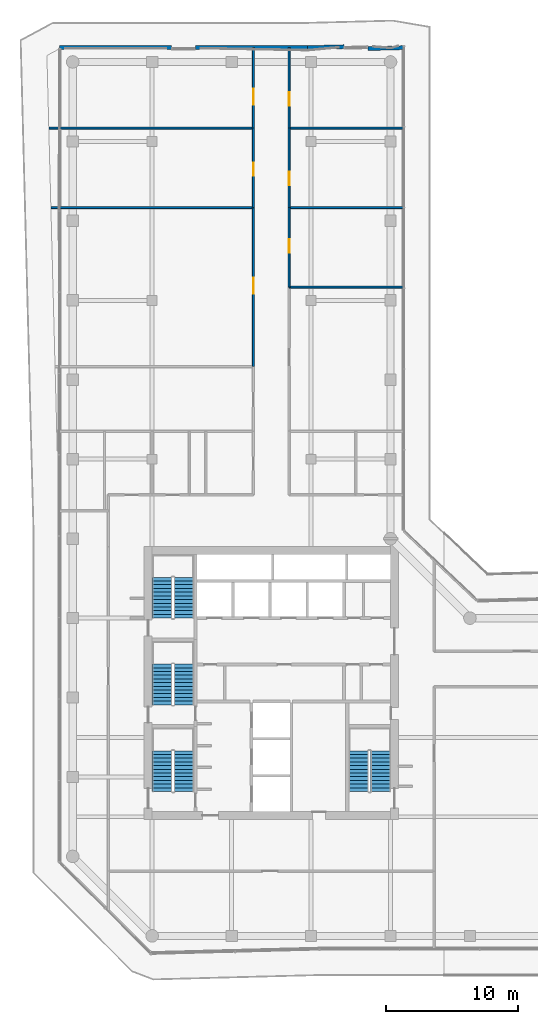
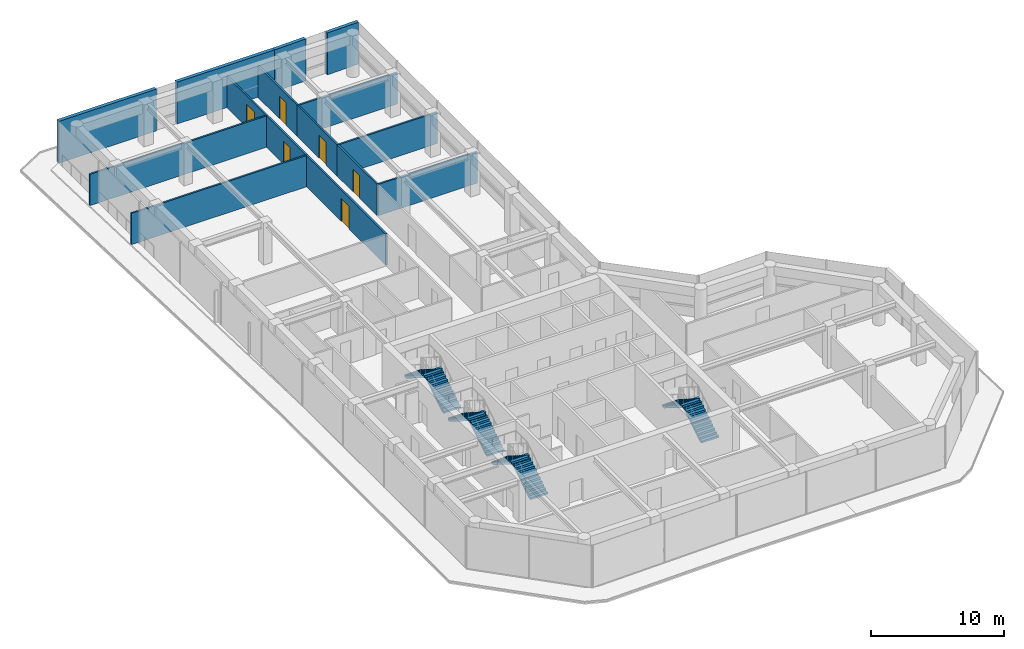
# One storey, part 18 of 20: 15 walls, 8 stair flights, 6 doors, 6 openings, 4 elements without a shape of their own.
"""IFC4 building model written with IfcOpenShell, lengths in metres."""

from ifc_helpers import new_model, si_unit, direction, frame, frame_2d, origin, place, context, subcontext, project, spatial, polyline, rectangle, outline, extrude, material, layer, layer_set, type_object, element, fill, aggregate, save


model = new_model("IFC4")

# Units and contexts
model_context = context("Model", 3, precision=1e-05, world=origin(), true_north=direction((0.0, 1.0)))
body_context = subcontext(model_context, "Body", "Model", "MODEL_VIEW")
ifc_project = project(units=[si_unit("LENGTHUNIT", "METRE"), si_unit("AREAUNIT", "SQUARE_METRE"), si_unit("VOLUMEUNIT", "CUBIC_METRE"), si_unit("PLANEANGLEUNIT", "RADIAN"), si_unit("MASSUNIT", "GRAM", prefix="KILO")], contexts=[model_context])

# Site, building, storey
site_placement = place(None, origin())
site = spatial("IfcSite", under=ifc_project, at=site_placement, CompositionType="ELEMENT")
building_placement = place(site_placement, origin())
building = spatial("IfcBuilding", under=site, at=building_placement, Name="Welwitschia Terrace Campus", CompositionType="ELEMENT")
storey_placement = place(building_placement, frame((0.0, 0.0, 176.0)))
storey = spatial("IfcBuildingStorey", under=building, at=storey_placement, Name="L39", CompositionType="ELEMENT", Elevation=176.0)

# Walls
ifc_material_1 = material(Name="Gypsum board on steel studs", Category="steel")
ifc_layer_1 = layer(ifc_material_1, 0.14990234375)
ifc_layer_set_1 = layer_set([ifc_layer_1], Name="Gypsum board on steel studs")
wall_type_1 = type_object("IfcWallType", Name="Corridor partition 150 EI 30", PredefinedType="PARTITIONING", material=ifc_layer_set_1)
wall_1_placement = place(storey_placement, frame((-1.7900390625, 57.0, 0.0), z_axis=(0.0, 0.0, 1.0), x_axis=(1.0, 0.0, 0.0)))
element("IfcWall", 1, at=wall_1_placement, inside=storey, type_object=wall_type_1, Name="Partition", PredefinedType="PARTITIONING", context=body_context, shape_type="SweptSolid", body=[
    extrude(rectangle(XDim=15.43994140625, YDim=0.14990234375, at=frame_2d((7.719970703125, 0.0))), origin(), (0.0, 0.0, 1.0), 2.8798828125),
])
wall_2_placement = place(storey_placement, frame((-1.6298828125, 51.0, 0.0), z_axis=(0.0, 0.0, 1.0), x_axis=(1.0, 0.0, 0.0)))
element("IfcWall", 2, at=wall_2_placement, inside=storey, type_object=wall_type_1, Name="Partition", PredefinedType="PARTITIONING", context=body_context, shape_type="SweptSolid", body=[
    extrude(rectangle(XDim=15.27978515625, YDim=0.14990234375, at=frame_2d((7.639892578125, 0.0))), origin(), (0.0, 0.0, 1.0), 2.8798828125),
])

# Wall, opening, door
wall_3_placement = place(storey_placement, frame((13.64990234375, 51.0, 0.0), z_axis=(0.0, 0.0, 1.0), x_axis=(0.0, -1.0, 0.0)))
wall_3 = element("IfcWall", 3, at=wall_3_placement, inside=storey, type_object=wall_type_1, Name="Partition", PredefinedType="PARTITIONING", context=body_context, shape_type="SweptSolid", body=[
    extrude(rectangle(XDim=12.0, YDim=0.14990234375, at=frame_2d((6.0, 0.0))), origin(), (0.0, 0.0, 1.0), 2.8798828125),
])
opening_1_placement = place(wall_3_placement, frame((5.300048828125, 0.0, 0.0)))
opening_1 = element("IfcOpeningElement", 4, at=opening_1_placement, cuts=wall_3, Name="Opening DI12", PredefinedType="OPENING", context=body_context, shape_type="SweptSolid", body=[
    extrude(rectangle(XDim=1.199951171875, YDim=2.10009765625, at=frame_2d((0.60009765625, 1.050048828125))), frame((0.0, 0.0849609375, 0.0), z_axis=(0.0, -1.0, 0.0), x_axis=(1.0, 0.0, 0.0)), (0.0, 0.0, 1.0), 0.169921875),
])
ifc_material_2 = material(Name="Timber veneered door", Category="wood")
door_type_1 = type_object("IfcDoorType", Name="Interior door DI12", OperationType="NOTDEFINED", PredefinedType="DOOR", material=ifc_material_2)
door_1_placement = place(opening_1_placement, origin())
door_1 = element("IfcDoor", 5, at=door_1_placement, inside=storey, type_object=door_type_1, Name="Door L39 780", OperationType="SINGLE_SWING_LEFT", OverallHeight=2.10009765625, OverallWidth=1.199951171875, PredefinedType="DOOR", context=body_context, shape_type="SweptSolid", body=[
    extrude(rectangle(XDim=1.199951171875, YDim=2.10009765625, at=frame_2d((0.60009765625, 1.050048828125))), frame((0.0, 0.02490234375, 0.0), z_axis=(0.0, -1.0, 0.0), x_axis=(1.0, 0.0, 0.0)), (0.0, 0.0, 1.0), 0.050048828125),
])
fill(opening_1, door_1)

wall_4_placement = place(storey_placement, frame((13.64990234375, 51.0, 0.0), z_axis=(0.0, 0.0, 1.0), x_axis=(0.0, 1.0, 0.0)))
wall_4 = element("IfcWall", 6, at=wall_4_placement, inside=storey, type_object=wall_type_1, Name="Partition", PredefinedType="PARTITIONING", context=body_context, shape_type="SweptSolid", body=[
    extrude(rectangle(XDim=6.0, YDim=0.14990234375, at=frame_2d((3.0, 0.0))), origin(), (0.0, 0.0, 1.0), 2.8798828125),
])
opening_2_placement = place(wall_4_placement, frame((2.39990234375, 0.0, 0.0)))
opening_2 = element("IfcOpeningElement", 7, at=opening_2_placement, cuts=wall_4, Name="Opening DI10", PredefinedType="OPENING", context=body_context, shape_type="SweptSolid", body=[
    extrude(rectangle(XDim=1.0, YDim=2.10009765625, at=frame_2d((0.5, 1.050048828125))), frame((0.0, 0.0849609375, 0.0), z_axis=(0.0, -1.0, 0.0), x_axis=(1.0, 0.0, 0.0)), (0.0, 0.0, 1.0), 0.169921875),
])
ifc_material_3 = material(Name="Timber veneered door", Category="wood")
door_type_2 = type_object("IfcDoorType", Name="Interior door DI10", OperationType="NOTDEFINED", PredefinedType="DOOR", material=ifc_material_3)
door_2_placement = place(opening_2_placement, origin())
door_2 = element("IfcDoor", 8, at=door_2_placement, inside=storey, type_object=door_type_2, Name="Door L39 781", OperationType="SINGLE_SWING_RIGHT", OverallHeight=2.10009765625, OverallWidth=1.0, PredefinedType="DOOR", context=body_context, shape_type="SweptSolid", body=[
    extrude(rectangle(XDim=1.0, YDim=2.10009765625, at=frame_2d((0.5, 1.050048828125))), frame((0.0, 0.02490234375, 0.0), z_axis=(0.0, -1.0, 0.0), x_axis=(1.0, 0.0, 0.0)), (0.0, 0.0, 1.0), 0.050048828125),
])
fill(opening_2, door_2)

wall_5_placement = place(storey_placement, frame((13.64990234375, 63.090087890625, 0.0), z_axis=(0.0, 0.0, 1.0), x_axis=(0.0, -1.0, 0.0)))
wall_5 = element("IfcWall", 9, at=wall_5_placement, inside=storey, type_object=wall_type_1, Name="Partition", PredefinedType="PARTITIONING", context=body_context, shape_type="SweptSolid", body=[
    extrude(rectangle(XDim=6.090087890625, YDim=0.14990234375, at=frame_2d((3.044921875, 0.0))), origin(), (0.0, 0.0, 1.0), 2.8798828125),
])
opening_3_placement = place(wall_5_placement, frame((3.1201171875, 0.0, 0.0)))
opening_3 = element("IfcOpeningElement", 10, at=opening_3_placement, cuts=wall_5, Name="Opening DI12", PredefinedType="OPENING", context=body_context, shape_type="SweptSolid", body=[
    extrude(rectangle(XDim=1.199951171875, YDim=2.10009765625, at=frame_2d((0.60009765625, 1.050048828125))), frame((0.0, 0.0849609375, 0.0), z_axis=(0.0, -1.0, 0.0), x_axis=(1.0, 0.0, 0.0)), (0.0, 0.0, 1.0), 0.169921875),
])
door_3_placement = place(opening_3_placement, origin())
door_3 = element("IfcDoor", 11, at=door_3_placement, inside=storey, type_object=door_type_1, Name="Door L39 782", OperationType="SINGLE_SWING_LEFT", OverallHeight=2.10009765625, OverallWidth=1.199951171875, PredefinedType="DOOR", context=body_context, shape_type="SweptSolid", body=[
    extrude(rectangle(XDim=1.199951171875, YDim=2.10009765625, at=frame_2d((0.60009765625, 1.050048828125))), frame((0.0, 0.02490234375, 0.0), z_axis=(0.0, -1.0, 0.0), x_axis=(1.0, 0.0, 0.0)), (0.0, 0.0, 1.0), 0.050048828125),
])
fill(opening_3, door_3)

# Wall
wall_6_placement = place(storey_placement, frame((16.35009765625, 45.0, 0.0), z_axis=(0.0, 0.0, 1.0), x_axis=(1.0, 0.0, 0.0)))
element("IfcWall", 12, at=wall_6_placement, inside=storey, type_object=wall_type_1, Name="Partition", PredefinedType="PARTITIONING", context=body_context, shape_type="SweptSolid", body=[
    extrude(rectangle(XDim=8.614990234375, YDim=0.14990234375, at=frame_2d((4.3076171875, 0.0))), origin(), (0.0, 0.0, 1.0), 2.8798828125),
])

# Wall, opening, door
wall_7_placement = place(storey_placement, frame((16.35009765625, 51.0, 0.0), z_axis=(0.0, 0.0, 1.0), x_axis=(0.0, -1.0, 0.0)))
wall_7 = element("IfcWall", 13, at=wall_7_placement, inside=storey, type_object=wall_type_1, Name="Partition", PredefinedType="PARTITIONING", context=body_context, shape_type="SweptSolid", body=[
    extrude(rectangle(XDim=6.0, YDim=0.14990234375, at=frame_2d((3.0, 0.0))), origin(), (0.0, 0.0, 1.0), 2.8798828125),
])
opening_4_placement = place(wall_7_placement, frame((2.39990234375, 0.0, 0.0)))
opening_4 = element("IfcOpeningElement", 14, at=opening_4_placement, cuts=wall_7, Name="Opening DI10", PredefinedType="OPENING", context=body_context, shape_type="SweptSolid", body=[
    extrude(rectangle(XDim=1.0, YDim=2.10009765625, at=frame_2d((0.5, 1.050048828125))), frame((0.0, 0.0849609375, 0.0), z_axis=(0.0, -1.0, 0.0), x_axis=(1.0, 0.0, 0.0)), (0.0, 0.0, 1.0), 0.169921875),
])
door_4_placement = place(opening_4_placement, origin())
door_4 = element("IfcDoor", 15, at=door_4_placement, inside=storey, type_object=door_type_2, Name="Door L39 784", OperationType="SINGLE_SWING_LEFT", OverallHeight=2.10009765625, OverallWidth=1.0, PredefinedType="DOOR", context=body_context, shape_type="SweptSolid", body=[
    extrude(rectangle(XDim=1.0, YDim=2.10009765625, at=frame_2d((0.5, 1.050048828125))), frame((0.0, 0.02490234375, 0.0), z_axis=(0.0, -1.0, 0.0), x_axis=(1.0, 0.0, 0.0)), (0.0, 0.0, 1.0), 0.050048828125),
])
fill(opening_4, door_4)

# Wall
wall_8_placement = place(storey_placement, frame((16.35009765625, 51.0, 0.0), z_axis=(0.0, 0.0, 1.0), x_axis=(1.0, 0.0, 0.0)))
element("IfcWall", 16, at=wall_8_placement, inside=storey, type_object=wall_type_1, Name="Partition", PredefinedType="PARTITIONING", context=body_context, shape_type="SweptSolid", body=[
    extrude(rectangle(XDim=8.614990234375, YDim=0.14990234375, at=frame_2d((4.3076171875, 0.0))), origin(), (0.0, 0.0, 1.0), 2.8798828125),
])

# Wall, opening, door
wall_9_placement = place(storey_placement, frame((16.35009765625, 57.0, 0.0), z_axis=(0.0, 0.0, 1.0), x_axis=(0.0, -1.0, 0.0)))
wall_9 = element("IfcWall", 17, at=wall_9_placement, inside=storey, type_object=wall_type_1, Name="Partition", PredefinedType="PARTITIONING", context=body_context, shape_type="SweptSolid", body=[
    extrude(rectangle(XDim=6.0, YDim=0.14990234375, at=frame_2d((3.0, 0.0))), origin(), (0.0, 0.0, 1.0), 2.8798828125),
])
opening_5_placement = place(wall_9_placement, frame((3.300048828125, 0.0, 0.0)))
opening_5 = element("IfcOpeningElement", 18, at=opening_5_placement, cuts=wall_9, Name="Opening DI10", PredefinedType="OPENING", context=body_context, shape_type="SweptSolid", body=[
    extrude(rectangle(XDim=1.0, YDim=2.10009765625, at=frame_2d((0.5, 1.050048828125))), frame((0.0, 0.0849609375, 0.0), z_axis=(0.0, -1.0, 0.0), x_axis=(1.0, 0.0, 0.0)), (0.0, 0.0, 1.0), 0.169921875),
])
door_5_placement = place(opening_5_placement, origin())
door_5 = element("IfcDoor", 19, at=door_5_placement, inside=storey, type_object=door_type_2, Name="Door L39 785", OperationType="SINGLE_SWING_RIGHT", OverallHeight=2.10009765625, OverallWidth=1.0, PredefinedType="DOOR", context=body_context, shape_type="SweptSolid", body=[
    extrude(rectangle(XDim=1.0, YDim=2.10009765625, at=frame_2d((0.5, 1.050048828125))), frame((0.0, 0.02490234375, 0.0), z_axis=(0.0, -1.0, 0.0), x_axis=(1.0, 0.0, 0.0)), (0.0, 0.0, 1.0), 0.050048828125),
])
fill(opening_5, door_5)

# Wall
wall_10_placement = place(storey_placement, frame((16.35009765625, 57.0, 0.0), z_axis=(0.0, 0.0, 1.0), x_axis=(1.0, 0.0, 0.0)))
element("IfcWall", 20, at=wall_10_placement, inside=storey, type_object=wall_type_1, Name="Partition", PredefinedType="PARTITIONING", context=body_context, shape_type="SweptSolid", body=[
    extrude(rectangle(XDim=8.614990234375, YDim=0.14990234375, at=frame_2d((4.3076171875, 0.0))), origin(), (0.0, 0.0, 1.0), 2.8798828125),
])

# Wall, opening, door
wall_11_placement = place(storey_placement, frame((16.35009765625, 63.090087890625, 0.0), z_axis=(0.0, 0.0, 1.0), x_axis=(0.0, -1.0, 0.0)))
wall_11 = element("IfcWall", 21, at=wall_11_placement, inside=storey, type_object=wall_type_1, Name="Partition", PredefinedType="PARTITIONING", context=body_context, shape_type="SweptSolid", body=[
    extrude(rectangle(XDim=6.090087890625, YDim=0.14990234375, at=frame_2d((3.044921875, 0.0))), origin(), (0.0, 0.0, 1.0), 2.8798828125),
])
opening_6_placement = place(wall_11_placement, frame((3.389892578125, 0.0, 0.0)))
opening_6 = element("IfcOpeningElement", 22, at=opening_6_placement, cuts=wall_11, Name="Opening DI10", PredefinedType="OPENING", context=body_context, shape_type="SweptSolid", body=[
    extrude(rectangle(XDim=1.0, YDim=2.10009765625, at=frame_2d((0.5, 1.050048828125))), frame((0.0, 0.0849609375, 0.0), z_axis=(0.0, -1.0, 0.0), x_axis=(1.0, 0.0, 0.0)), (0.0, 0.0, 1.0), 0.169921875),
])
door_6_placement = place(opening_6_placement, origin())
door_6 = element("IfcDoor", 23, at=door_6_placement, inside=storey, type_object=door_type_2, Name="Door L39 786", OperationType="SINGLE_SWING_LEFT", OverallHeight=2.10009765625, OverallWidth=1.0, PredefinedType="DOOR", context=body_context, shape_type="SweptSolid", body=[
    extrude(rectangle(XDim=1.0, YDim=2.10009765625, at=frame_2d((0.5, 1.050048828125))), frame((0.0, 0.02490234375, 0.0), z_axis=(0.0, -1.0, 0.0), x_axis=(1.0, 0.0, 0.0)), (0.0, 0.0, 1.0), 0.050048828125),
])
fill(opening_6, door_6)

# Walls
ifc_material_4 = material(Name="Concrete C40/50", Category="concrete")
ifc_layer_2 = layer(ifc_material_4, 0.300048828125)
ifc_layer_set_2 = layer_set([ifc_layer_2], Name="Concrete C40/50")
wall_type_2 = type_object("IfcWallType", Name="Mass wall 300", PredefinedType="SOLIDWALL", material=ifc_layer_set_2)
for number, where, z_axis, x_axis, name in (
    (24, (25.03369140625, 63.082275390625, 0.0), (0.0, 0.0, 1.0), (-0.999656679814, -0.02620157446, 0.0), "Mass wall L39.10.0"),
    (25, (20.481689453125, 63.15185546875, 0.0), (0.0, 0.0, 1.0), (-0.999659002275, -0.02611281623, 0.0), "Mass wall L39.10.1"),
):
    element("IfcWall", number, at=place(storey_placement, frame(where, z_axis=z_axis, x_axis=x_axis)), inside=storey, type_object=wall_type_2, Name=name, PredefinedType="SOLIDWALL", context=body_context, shape_type="SweptSolid", body=[
        extrude(rectangle(XDim=2.748779296875, YDim=0.300048828125, at=frame_2d((1.37451171875, 0.0))), origin(), (0.0, 0.0, 1.0), 3.85009765625),
    ])
wall_12_placement = place(storey_placement, frame((17.735107421875, 63.080078125, 0.0), z_axis=(0.0, 0.0, 1.0), x_axis=(-1.0, 0.0, 0.0)))
element("IfcWall", 26, at=wall_12_placement, inside=storey, type_object=wall_type_2, Name="Mass wall L39.11.0", PredefinedType="SOLIDWALL", context=body_context, shape_type="SweptSolid", body=[
    extrude(rectangle(XDim=8.47119140625, YDim=0.300048828125, at=frame_2d((4.235595703125, 0.0))), origin(), (0.0, 0.0, 1.0), 3.85009765625),
])
wall_13_placement = place(storey_placement, frame((7.4638671875, 63.079833984375, 0.0), z_axis=(0.0, 0.0, 1.0), x_axis=(-1.0, 0.0, 0.0)))
element("IfcWall", 27, at=wall_13_placement, inside=storey, type_object=wall_type_2, Name="Mass wall L39.11.1", PredefinedType="SOLIDWALL", context=body_context, shape_type="SweptSolid", body=[
    extrude(rectangle(XDim=8.471435546875, YDim=0.300048828125, at=frame_2d((4.23583984375, 0.0))), origin(), (0.0, 0.0, 1.0), 3.85009765625),
])

# Stair, stair flights
ifc_material_5 = material(Name="Concrete C40/50", Category="concrete")
stair_type = type_object("IfcStairType", Name="Stair 24R 175 W1500", PredefinedType="HALF_TURN_STAIR", material=ifc_material_5)
stair_1_placement = place(storey_placement, origin())
stair_1 = element("IfcStair", 28, at=stair_1_placement, inside=storey, type_object=stair_type, Name="L39 Exit stair S1", PredefinedType="HALF_TURN_STAIR")
ifc_material_6 = material(Name="Concrete C40/50", Category="concrete")
stair_flight_type = type_object("IfcStairFlightType", Name="Stair flight 24R 175 W1500", PredefinedType="STRAIGHT", material=ifc_material_6)
stair_flight_1_placement = place(storey_placement, frame((8.39990234375, 6.89990234375, 0.0), z_axis=(0.0, 0.0, 1.0), x_axis=(0.0, 1.0, 0.0)))
stair_flight_1 = element("IfcStairFlight", 29, at=stair_flight_1_placement, type_object=stair_flight_type, Name="S1 flight 1", NumberOfRisers=12, NumberOfTreads=11, PredefinedType="STRAIGHT", RiserHeight=0.175, TreadLength=0.28, context=body_context, shape_type="SweptSolid", body=[
    extrude(outline(polyline([(0.0, 0.0), (0.0, 0.175048828125), (0.280029296875, 0.175048828125), (0.280029296875, 0.35009765625), (0.56005859375, 0.35009765625), (0.56005859375, 0.52490234375), (0.840087890625, 0.52490234375), (0.840087890625, 0.699951171875), (1.1201171875, 0.699951171875), (1.1201171875, 0.875), (1.39990234375, 0.875), (1.39990234375, 1.050048828125), (1.679931640625, 1.050048828125), (1.679931640625, 1.22509765625), (1.9599609375, 1.22509765625), (1.9599609375, 1.39990234375), (2.239990234375, 1.39990234375), (2.239990234375, 1.574951171875), (2.52001953125, 1.574951171875), (2.52001953125, 1.75), (2.800048828125, 1.75), (2.800048828125, 1.925048828125), (3.080078125, 1.925048828125), (3.080078125, 2.10009765625), (3.080078125, 1.748291015625), (0.28271484375, 0.0), (0.0, 0.0)])), frame((0.0, 0.75, 0.0), z_axis=(0.0, -1.0, 0.0), x_axis=(1.0, 0.0, 0.0)), (0.0, 0.0, 1.0), 1.5),
])
stair_flight_2_placement = place(storey_placement, frame((6.75, 9.97998046875, 2.10009765625), z_axis=(0.0, 0.0, 1.0), x_axis=(0.0, -1.0, 0.0)))
stair_flight_2 = element("IfcStairFlight", 30, at=stair_flight_2_placement, type_object=stair_flight_type, Name="S1 flight 2", NumberOfRisers=12, NumberOfTreads=11, PredefinedType="STRAIGHT", RiserHeight=0.175, TreadLength=0.28, context=body_context, shape_type="SweptSolid", body=[
    extrude(outline(polyline([(0.0, 0.0), (0.0, 0.175048828125), (0.280029296875, 0.175048828125), (0.280029296875, 0.35009765625), (0.56005859375, 0.35009765625), (0.56005859375, 0.52490234375), (0.840087890625, 0.52490234375), (0.840087890625, 0.699951171875), (1.1201171875, 0.699951171875), (1.1201171875, 0.875), (1.39990234375, 0.875), (1.39990234375, 1.050048828125), (1.679931640625, 1.050048828125), (1.679931640625, 1.22509765625), (1.9599609375, 1.22509765625), (1.9599609375, 1.39990234375), (2.239990234375, 1.39990234375), (2.239990234375, 1.574951171875), (2.52001953125, 1.574951171875), (2.52001953125, 1.75), (2.800048828125, 1.75), (2.800048828125, 1.925048828125), (3.080078125, 1.925048828125), (3.080078125, 2.10009765625), (3.080078125, 1.748291015625), (0.28271484375, 0.0), (0.0, 0.0)])), frame((0.0, 0.75, 0.0), z_axis=(0.0, -1.0, 0.0), x_axis=(1.0, 0.0, 0.0)), (0.0, 0.0, 1.0), 1.5),
])
aggregate(stair_1, [stair_flight_1, stair_flight_2])

stair_2_placement = place(storey_placement, origin())
stair_2 = element("IfcStair", 31, at=stair_2_placement, inside=storey, type_object=stair_type, Name="L39 Exit stair S3", PredefinedType="HALF_TURN_STAIR")
stair_flight_3_placement = place(storey_placement, frame((8.39990234375, 13.449951171875, 0.0), z_axis=(0.0, 0.0, 1.0), x_axis=(0.0, 1.0, 0.0)))
stair_flight_3 = element("IfcStairFlight", 32, at=stair_flight_3_placement, type_object=stair_flight_type, Name="S3 flight 1", NumberOfRisers=12, NumberOfTreads=11, PredefinedType="STRAIGHT", RiserHeight=0.175, TreadLength=0.28, context=body_context, shape_type="SweptSolid", body=[
    extrude(outline(polyline([(0.0, 0.0), (0.0, 0.175048828125), (0.280029296875, 0.175048828125), (0.280029296875, 0.35009765625), (0.56005859375, 0.35009765625), (0.56005859375, 0.52490234375), (0.840087890625, 0.52490234375), (0.840087890625, 0.699951171875), (1.1201171875, 0.699951171875), (1.1201171875, 0.875), (1.39990234375, 0.875), (1.39990234375, 1.050048828125), (1.679931640625, 1.050048828125), (1.679931640625, 1.22509765625), (1.9599609375, 1.22509765625), (1.9599609375, 1.39990234375), (2.239990234375, 1.39990234375), (2.239990234375, 1.574951171875), (2.52001953125, 1.574951171875), (2.52001953125, 1.75), (2.800048828125, 1.75), (2.800048828125, 1.925048828125), (3.080078125, 1.925048828125), (3.080078125, 2.10009765625), (3.080078125, 1.748291015625), (0.28271484375, 0.0), (0.0, 0.0)])), frame((0.0, 0.75, 0.0), z_axis=(0.0, -1.0, 0.0), x_axis=(1.0, 0.0, 0.0)), (0.0, 0.0, 1.0), 1.5),
])
stair_flight_4_placement = place(storey_placement, frame((6.75, 16.530029296875, 2.10009765625), z_axis=(0.0, 0.0, 1.0), x_axis=(0.0, -1.0, 0.0)))
stair_flight_4 = element("IfcStairFlight", 33, at=stair_flight_4_placement, type_object=stair_flight_type, Name="S3 flight 2", NumberOfRisers=12, NumberOfTreads=11, PredefinedType="STRAIGHT", RiserHeight=0.175, TreadLength=0.28, context=body_context, shape_type="SweptSolid", body=[
    extrude(outline(polyline([(0.0, 0.0), (0.0, 0.175048828125), (0.280029296875, 0.175048828125), (0.280029296875, 0.35009765625), (0.56005859375, 0.35009765625), (0.56005859375, 0.52490234375), (0.840087890625, 0.52490234375), (0.840087890625, 0.699951171875), (1.1201171875, 0.699951171875), (1.1201171875, 0.875), (1.39990234375, 0.875), (1.39990234375, 1.050048828125), (1.679931640625, 1.050048828125), (1.679931640625, 1.22509765625), (1.9599609375, 1.22509765625), (1.9599609375, 1.39990234375), (2.239990234375, 1.39990234375), (2.239990234375, 1.574951171875), (2.52001953125, 1.574951171875), (2.52001953125, 1.75), (2.800048828125, 1.75), (2.800048828125, 1.925048828125), (3.080078125, 1.925048828125), (3.080078125, 2.10009765625), (3.080078125, 1.748291015625), (0.28271484375, 0.0), (0.0, 0.0)])), frame((0.0, 0.75, 0.0), z_axis=(0.0, -1.0, 0.0), x_axis=(1.0, 0.0, 0.0)), (0.0, 0.0, 1.0), 1.5),
])
aggregate(stair_2, [stair_flight_3, stair_flight_4])

stair_3_placement = place(storey_placement, origin())
stair_3 = element("IfcStair", 34, at=stair_3_placement, inside=storey, type_object=stair_type, Name="L39 Exit stair S4", PredefinedType="HALF_TURN_STAIR")
stair_flight_5_placement = place(storey_placement, frame((8.39990234375, 20.0, 0.0), z_axis=(0.0, 0.0, 1.0), x_axis=(0.0, 1.0, 0.0)))
stair_flight_5 = element("IfcStairFlight", 35, at=stair_flight_5_placement, type_object=stair_flight_type, Name="S4 flight 1", NumberOfRisers=12, NumberOfTreads=11, PredefinedType="STRAIGHT", RiserHeight=0.175, TreadLength=0.28, context=body_context, shape_type="SweptSolid", body=[
    extrude(outline(polyline([(0.0, 0.0), (0.0, 0.175048828125), (0.280029296875, 0.175048828125), (0.280029296875, 0.35009765625), (0.56005859375, 0.35009765625), (0.56005859375, 0.52490234375), (0.840087890625, 0.52490234375), (0.840087890625, 0.699951171875), (1.1201171875, 0.699951171875), (1.1201171875, 0.875), (1.39990234375, 0.875), (1.39990234375, 1.050048828125), (1.679931640625, 1.050048828125), (1.679931640625, 1.22509765625), (1.9599609375, 1.22509765625), (1.9599609375, 1.39990234375), (2.239990234375, 1.39990234375), (2.239990234375, 1.574951171875), (2.52001953125, 1.574951171875), (2.52001953125, 1.75), (2.800048828125, 1.75), (2.800048828125, 1.925048828125), (3.080078125, 1.925048828125), (3.080078125, 2.10009765625), (3.080078125, 1.748291015625), (0.28271484375, 0.0), (0.0, 0.0)])), frame((0.0, 0.75, 0.0), z_axis=(0.0, -1.0, 0.0), x_axis=(1.0, 0.0, 0.0)), (0.0, 0.0, 1.0), 1.5),
])
stair_flight_6_placement = place(storey_placement, frame((6.75, 23.080078125, 2.10009765625), z_axis=(0.0, 0.0, 1.0), x_axis=(0.0, -1.0, 0.0)))
stair_flight_6 = element("IfcStairFlight", 36, at=stair_flight_6_placement, type_object=stair_flight_type, Name="S4 flight 2", NumberOfRisers=12, NumberOfTreads=11, PredefinedType="STRAIGHT", RiserHeight=0.175, TreadLength=0.28, context=body_context, shape_type="SweptSolid", body=[
    extrude(outline(polyline([(0.0, 0.0), (0.0, 0.175048828125), (0.280029296875, 0.175048828125), (0.280029296875, 0.35009765625), (0.56005859375, 0.35009765625), (0.56005859375, 0.52490234375), (0.840087890625, 0.52490234375), (0.840087890625, 0.699951171875), (1.1201171875, 0.699951171875), (1.1201171875, 0.875), (1.39990234375, 0.875), (1.39990234375, 1.050048828125), (1.679931640625, 1.050048828125), (1.679931640625, 1.22509765625), (1.9599609375, 1.22509765625), (1.9599609375, 1.39990234375), (2.239990234375, 1.39990234375), (2.239990234375, 1.574951171875), (2.52001953125, 1.574951171875), (2.52001953125, 1.75), (2.800048828125, 1.75), (2.800048828125, 1.925048828125), (3.080078125, 1.925048828125), (3.080078125, 2.10009765625), (3.080078125, 1.748291015625), (0.28271484375, 0.0), (0.0, 0.0)])), frame((0.0, 0.75, 0.0), z_axis=(0.0, -1.0, 0.0), x_axis=(1.0, 0.0, 0.0)), (0.0, 0.0, 1.0), 1.5),
])
aggregate(stair_3, [stair_flight_5, stair_flight_6])

stair_4_placement = place(storey_placement, origin())
stair_4 = element("IfcStair", 37, at=stair_4_placement, inside=storey, type_object=stair_type, Name="L39 Exit stair S2", PredefinedType="HALF_TURN_STAIR")
stair_flight_7_placement = place(storey_placement, frame((23.25, 6.89990234375, 0.0), z_axis=(0.0, 0.0, 1.0), x_axis=(0.0, 1.0, 0.0)))
stair_flight_7 = element("IfcStairFlight", 38, at=stair_flight_7_placement, type_object=stair_flight_type, Name="S2 flight 1", NumberOfRisers=12, NumberOfTreads=11, PredefinedType="STRAIGHT", RiserHeight=0.175, TreadLength=0.28, context=body_context, shape_type="SweptSolid", body=[
    extrude(outline(polyline([(0.0, 0.0), (0.0, 0.175048828125), (0.280029296875, 0.175048828125), (0.280029296875, 0.35009765625), (0.56005859375, 0.35009765625), (0.56005859375, 0.52490234375), (0.840087890625, 0.52490234375), (0.840087890625, 0.699951171875), (1.1201171875, 0.699951171875), (1.1201171875, 0.875), (1.39990234375, 0.875), (1.39990234375, 1.050048828125), (1.679931640625, 1.050048828125), (1.679931640625, 1.22509765625), (1.9599609375, 1.22509765625), (1.9599609375, 1.39990234375), (2.239990234375, 1.39990234375), (2.239990234375, 1.574951171875), (2.52001953125, 1.574951171875), (2.52001953125, 1.75), (2.800048828125, 1.75), (2.800048828125, 1.925048828125), (3.080078125, 1.925048828125), (3.080078125, 2.10009765625), (3.080078125, 1.748291015625), (0.28271484375, 0.0), (0.0, 0.0)])), frame((0.0, 0.75, 0.0), z_axis=(0.0, -1.0, 0.0), x_axis=(1.0, 0.0, 0.0)), (0.0, 0.0, 1.0), 1.5),
])
stair_flight_8_placement = place(storey_placement, frame((21.60009765625, 9.97998046875, 2.10009765625), z_axis=(0.0, 0.0, 1.0), x_axis=(0.0, -1.0, 0.0)))
stair_flight_8 = element("IfcStairFlight", 39, at=stair_flight_8_placement, type_object=stair_flight_type, Name="S2 flight 2", NumberOfRisers=12, NumberOfTreads=11, PredefinedType="STRAIGHT", RiserHeight=0.175, TreadLength=0.28, context=body_context, shape_type="SweptSolid", body=[
    extrude(outline(polyline([(0.0, 0.0), (0.0, 0.175048828125), (0.280029296875, 0.175048828125), (0.280029296875, 0.35009765625), (0.56005859375, 0.35009765625), (0.56005859375, 0.52490234375), (0.840087890625, 0.52490234375), (0.840087890625, 0.699951171875), (1.1201171875, 0.699951171875), (1.1201171875, 0.875), (1.39990234375, 0.875), (1.39990234375, 1.050048828125), (1.679931640625, 1.050048828125), (1.679931640625, 1.22509765625), (1.9599609375, 1.22509765625), (1.9599609375, 1.39990234375), (2.239990234375, 1.39990234375), (2.239990234375, 1.574951171875), (2.52001953125, 1.574951171875), (2.52001953125, 1.75), (2.800048828125, 1.75), (2.800048828125, 1.925048828125), (3.080078125, 1.925048828125), (3.080078125, 2.10009765625), (3.080078125, 1.748291015625), (0.28271484375, 0.0), (0.0, 0.0)])), frame((0.0, 0.75, 0.0), z_axis=(0.0, -1.0, 0.0), x_axis=(1.0, 0.0, 0.0)), (0.0, 0.0, 1.0), 1.5),
])
aggregate(stair_4, [stair_flight_7, stair_flight_8])

save(model, "model.ifc")
